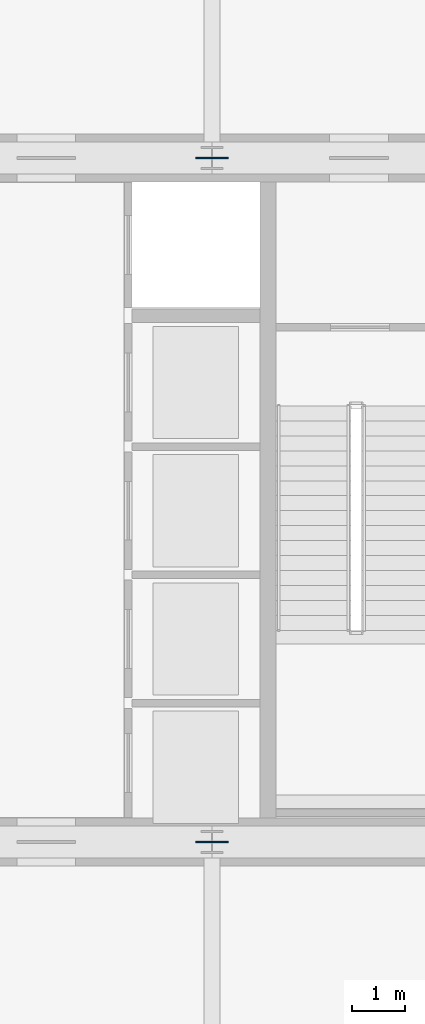
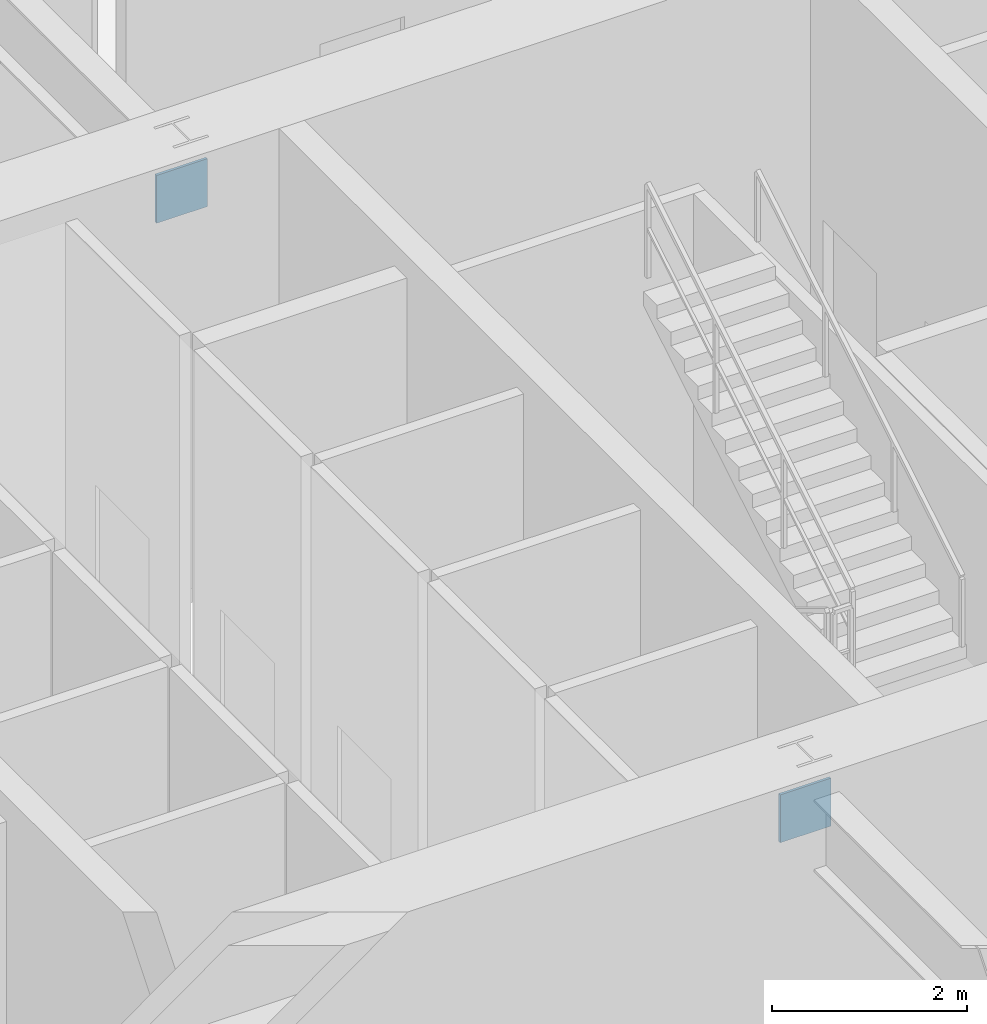
# One storey, part 29 of 32: 2 discrete accessories.
"""IFC4 building model written with IfcOpenShell, lengths in metres."""

from ifc_helpers import new_model, si_unit, direction, frame, origin, origin_2d, place, context, subcontext, project, spatial, rectangle, extrude, source, transform, mapped, material, layer, layer_set, type_object, element, save


model = new_model("IFC4")

# Units and contexts
model_context = context("Model", 3, precision=1e-05, world=origin(), true_north=direction((0.0, 1.0)))
body_context = subcontext(model_context, "Body", "Model", "MODEL_VIEW")
ifc_project = project(units=[si_unit("LENGTHUNIT", "METRE"), si_unit("AREAUNIT", "SQUARE_METRE"), si_unit("VOLUMEUNIT", "CUBIC_METRE"), si_unit("PLANEANGLEUNIT", "RADIAN"), si_unit("MASSUNIT", "GRAM", prefix="KILO"), si_unit("THERMODYNAMICTEMPERATUREUNIT", "KELVIN"), si_unit("POWERUNIT", "WATT")], contexts=[model_context])

# Site, building, storey
site_placement = place(None, origin())
site = spatial("IfcSite", under=ifc_project, at=site_placement, CompositionType="ELEMENT")
building_placement = place(site_placement, origin())
building = spatial("IfcBuilding", under=site, at=building_placement, Name="Yuzanri Waterfront Tower", CompositionType="ELEMENT")
storey_placement = place(building_placement, origin())
storey = spatial("IfcBuildingStorey", under=building, at=storey_placement, Name="L01", CompositionType="ELEMENT", Elevation=0.0)

# Discrete accessories
ifc_material = material(Name="Steel Q355B", Category="steel")
ifc_layer = layer(ifc_material, 0.031982421875)
ifc_layer_set = layer_set([ifc_layer], Name="Steel Q355B")
discrete_accessory_type = type_object("IfcDiscreteAccessoryType", Name="Steel Q355B Core Wall Cast-In Embed Plate 600x600x32", PredefinedType="USERDEFINED", material=ifc_layer_set)
shared_shape = source(origin(), body_context, "Body", "SweptSolid", [
    extrude(rectangle(XDim=0.60009765625, YDim=0.031982421875, at=origin_2d()), origin(), (0.0, 0.0, 1.0), 0.60009765625),
])
for number, where, z_axis, x_axis, name in (
    (1, (37.0, 19.39990234375, 4.369873046875), (0.0, 0.0, 1.0), (1.0, 0.0, 0.0), "Core Wall Cast-In Embed Plate EP-01"),
    (2, (37.0, 32.199951171875, 4.369873046875), (0.0, 0.0, 1.0), (1.0, 0.0, 0.0), "Core Wall Cast-In Embed Plate EP-01"),
):
    element("IfcDiscreteAccessory", number, at=place(storey_placement, frame(where, z_axis=z_axis, x_axis=x_axis)), inside=storey, type_object=discrete_accessory_type, Name=name, ObjectType="CAST-IN EMBED PLATE", PredefinedType="USERDEFINED", context=body_context, shape_type="MappedRepresentation", body=[
        mapped(shared_shape, transform((0.0, 0.0, 0.0), scale=1.0)),
    ])

save(model, "model.ifc")
